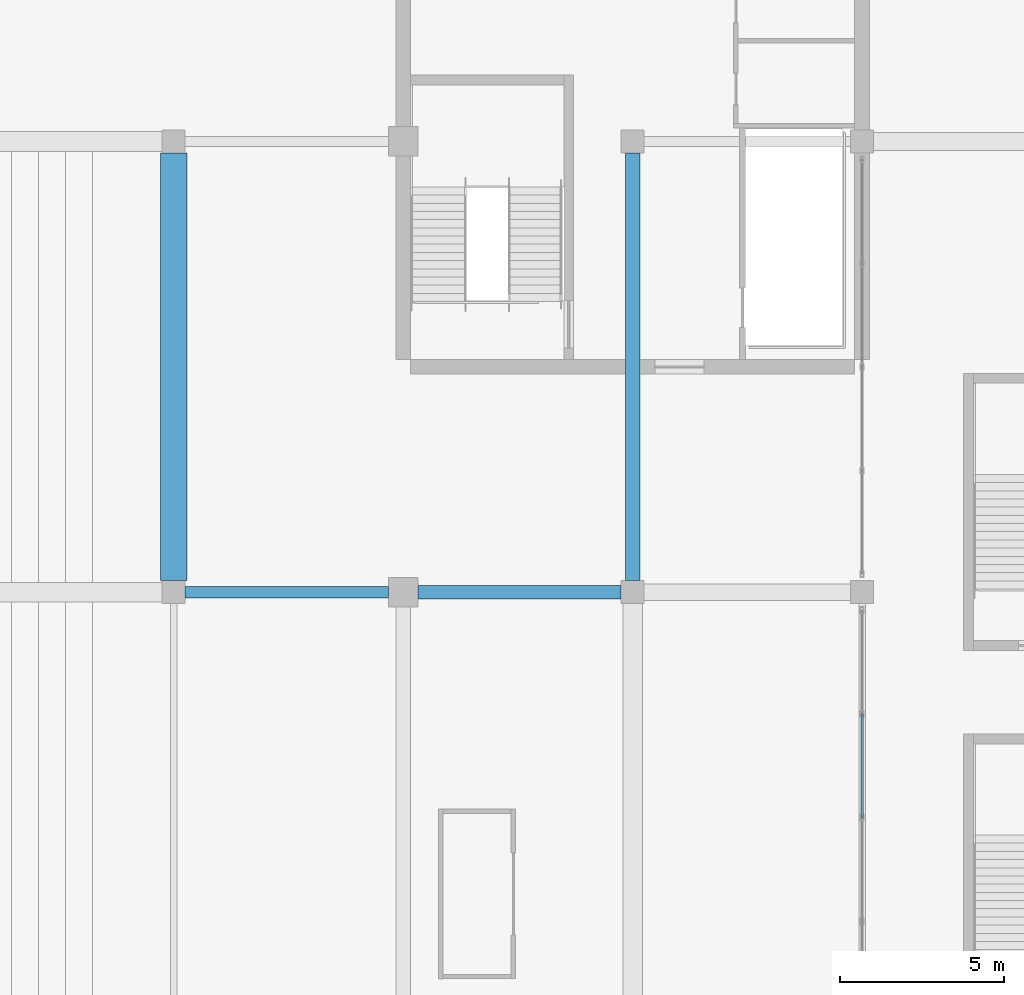
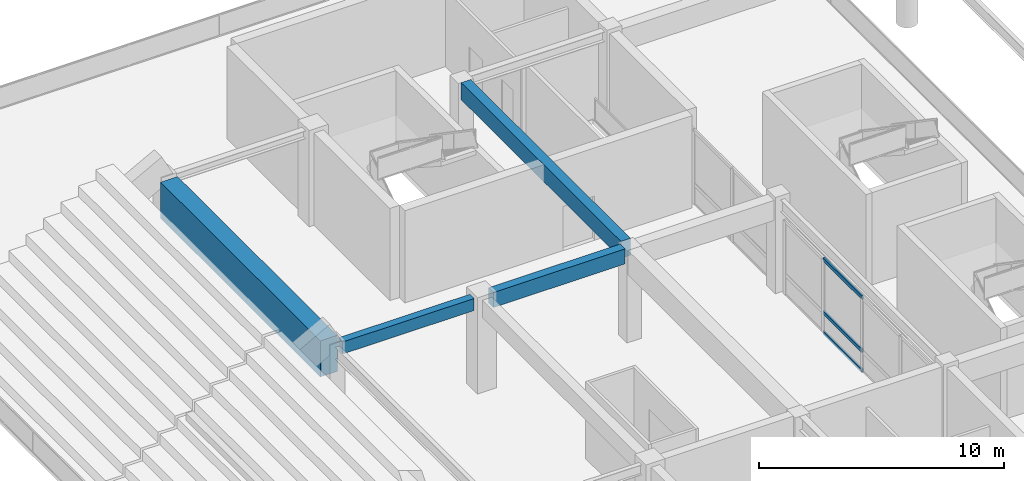
# One storey, part 40 of 94: 4 beams, 3 members, 1 element without a shape of its own.
"""IFC4 building model written with IfcOpenShell, lengths in metres."""

from ifc_helpers import new_model, si_unit, direction, frame, origin, origin_2d, place, context, subcontext, project, spatial, rectangle, hollow_rectangle, extrude, material, material_profile, profile_set, type_object, element, aggregate, save


model = new_model("IFC4")

# Units and contexts
model_context = context("Model", 3, precision=1e-05, world=origin(), true_north=direction((0.0, 1.0)))
body_context = subcontext(model_context, "Body", "Model", "MODEL_VIEW")
ifc_project = project(units=[si_unit("LENGTHUNIT", "METRE"), si_unit("AREAUNIT", "SQUARE_METRE"), si_unit("VOLUMEUNIT", "CUBIC_METRE"), si_unit("PLANEANGLEUNIT", "RADIAN"), si_unit("MASSUNIT", "GRAM", prefix="KILO")], contexts=[model_context])

# Site, building, storey
site_placement = place(None, origin())
site = spatial("IfcSite", under=ifc_project, at=site_placement, CompositionType="ELEMENT")
building_placement = place(site_placement, origin())
building = spatial("IfcBuilding", under=site, at=building_placement, Name="Linyun Crest Stadium", CompositionType="ELEMENT")
storey_placement = place(building_placement, frame((0.0, 0.0, 16.199951171875)))
storey = spatial("IfcBuildingStorey", under=building, at=storey_placement, Name="L04", CompositionType="ELEMENT", Elevation=16.199951171875)

# Beams
ifc_material_1 = material(Name="Concrete C40", Category="concrete")
ifc_material_profile_1 = material_profile(ifc_material_1, rectangle(XDim=0.35009765625, YDim=0.60009765625, at=origin_2d()), Name="RCB 600x350")
ifc_profile_set_1 = profile_set([ifc_material_profile_1], Name="Concrete C40")
beam_type_1 = type_object("IfcBeamType", Name="B01", PredefinedType="BEAM", material=ifc_profile_set_1)
beam_1_placement = place(storey_placement, frame((63.35009765625, 29.625, 4.300048828125), z_axis=(1.0, 0.0, 0.0), x_axis=(0.0, 1.0, 0.0)))
element("IfcBeam", 1, at=beam_1_placement, inside=storey, type_object=beam_type_1, Name="Frame beam B01 L04 693", PredefinedType="BEAM", context=body_context, shape_type="SweptSolid", body=[
    extrude(rectangle(XDim=0.35009765625, YDim=0.60009765625, at=origin_2d()), origin(), (0.0, 0.0, 1.0), 6.199951171875),
])
ifc_material_2 = material(Name="Concrete C40", Category="concrete")
ifc_material_profile_2 = material_profile(ifc_material_2, rectangle(XDim=0.39990234375, YDim=0.75, at=origin_2d()), Name="RCB 750x400")
ifc_profile_set_2 = profile_set([ifc_material_profile_2], Name="Concrete C40")
beam_type_2 = type_object("IfcBeamType", Name="B03", PredefinedType="BEAM", material=ifc_profile_set_2)
beam_2_placement = place(storey_placement, frame((70.449951171875, 29.625, 4.22509765625), z_axis=(1.0, 0.0, 0.0), x_axis=(0.0, 1.0, 0.0)))
element("IfcBeam", 2, at=beam_2_placement, inside=storey, type_object=beam_type_2, Name="Frame beam B03 L04 694", PredefinedType="BEAM", context=body_context, shape_type="SweptSolid", body=[
    extrude(rectangle(XDim=0.39990234375, YDim=0.75, at=origin_2d()), origin(), (0.0, 0.0, 1.0), 6.199951171875),
])
ifc_material_3 = material(Name="Concrete C40", Category="concrete")
ifc_material_profile_3 = material_profile(ifc_material_3, rectangle(XDim=0.449951171875, YDim=0.85009765625, at=origin_2d()), Name="RCB 850x450")
ifc_profile_set_3 = profile_set([ifc_material_profile_3], Name="Concrete C40")
beam_type_3 = type_object("IfcBeamType", Name="B04", PredefinedType="BEAM", material=ifc_profile_set_3)
beam_3_placement = place(storey_placement, frame((77.0, 29.97509765625, 4.175048828125), z_axis=(0.0, 1.0, 0.0), x_axis=(-1.0, 0.0, 0.0)))
element("IfcBeam", 3, at=beam_3_placement, inside=storey, type_object=beam_type_3, Name="Frame beam B04 L04 716", PredefinedType="BEAM", context=body_context, shape_type="SweptSolid", body=[
    extrude(rectangle(XDim=0.449951171875, YDim=0.85009765625, at=origin_2d()), origin(), (0.0, 0.0, 1.0), 13.0498046875),
])
ifc_material_4 = material(Name="Concrete C50", Category="concrete")
ifc_material_profile_4 = material_profile(ifc_material_4, rectangle(XDim=0.800048828125, YDim=1.800048828125, at=origin_2d()), Name="RCB 1800x800")
ifc_profile_set_4 = profile_set([ifc_material_profile_4], Name="Concrete C50")
beam_type_4 = type_object("IfcBeamType", Name="B14", PredefinedType="BEAM", material=ifc_profile_set_4)
beam_4_placement = place(storey_placement, frame((63.0, 29.97509765625, 3.699951171875), z_axis=(0.0, 1.0, 0.0), x_axis=(-1.0, 0.0, 0.0)))
element("IfcBeam", 4, at=beam_4_placement, inside=storey, type_object=beam_type_4, Name="Frame beam B14 L04 705", PredefinedType="BEAM", context=body_context, shape_type="SweptSolid", body=[
    extrude(rectangle(XDim=0.800048828125, YDim=1.800048828125, at=origin_2d()), origin(), (0.0, 0.0, 1.0), 13.0498046875),
])

# Curtain wall, members
ifc_material_5 = material(Name="Verdigris steel and low-E curtain wall assembly", Category="steel")
curtain_wall_type = type_object("IfcCurtainWallType", Name="MCW06", PredefinedType="NOTDEFINED", material=ifc_material_5)
curtain_wall_placement = place(storey_placement, origin())
curtain_wall = element("IfcCurtainWall", 5, at=curtain_wall_placement, inside=storey, type_object=curtain_wall_type, Name="CWR-116", PredefinedType="NOTDEFINED")
ifc_material_6 = material(Name="Verdigris painted steel Q355B transom", Category="steel")
ifc_material_profile_5 = material_profile(ifc_material_6, hollow_rectangle(XDim=0.080078125, YDim=0.179931640625, WallThickness=0.006103515625, at=origin_2d()), Name="RHS 180x80x6")
ifc_profile_set_5 = profile_set([ifc_material_profile_5], Name="Verdigris painted steel Q355B transom")
member_type = type_object("IfcMemberType", Name="TR02", PredefinedType="USERDEFINED", material=ifc_profile_set_5)
member_1_placement = place(storey_placement, frame((84.0, 22.75, 0.0), z_axis=(0.0, 1.0, 0.0), x_axis=(-1.0, 0.0, 0.0)))
member_1 = element("IfcMember", 6, at=member_1_placement, type_object=member_type, Name="CWR-116 transom 3.1", ObjectType="TRANSOM", PredefinedType="USERDEFINED", context=body_context, shape_type="SweptSolid", body=[
    extrude(hollow_rectangle(XDim=0.080078125, YDim=0.179931640625, WallThickness=0.006103515625, at=origin_2d()), origin(), (0.0, 0.0, 1.0), 3.162109375),
])
member_2_placement = place(storey_placement, frame((84.0, 22.75, 1.0), z_axis=(0.0, 1.0, 0.0), x_axis=(-1.0, 0.0, 0.0)))
member_2 = element("IfcMember", 7, at=member_2_placement, type_object=member_type, Name="CWR-116 transom 3.2", ObjectType="TRANSOM", PredefinedType="USERDEFINED", context=body_context, shape_type="SweptSolid", body=[
    extrude(hollow_rectangle(XDim=0.080078125, YDim=0.179931640625, WallThickness=0.006103515625, at=origin_2d()), origin(), (0.0, 0.0, 1.0), 3.162109375),
])
member_3_placement = place(storey_placement, frame((84.0, 22.75, 3.650146484375), z_axis=(0.0, 1.0, 0.0), x_axis=(-1.0, 0.0, 0.0)))
member_3 = element("IfcMember", 8, at=member_3_placement, type_object=member_type, Name="CWR-116 transom 3.3", ObjectType="TRANSOM", PredefinedType="USERDEFINED", context=body_context, shape_type="SweptSolid", body=[
    extrude(hollow_rectangle(XDim=0.080078125, YDim=0.179931640625, WallThickness=0.006103515625, at=origin_2d()), origin(), (0.0, 0.0, 1.0), 3.162109375),
])
aggregate(curtain_wall, [member_1, member_2, member_3])

save(model, "model.ifc")
